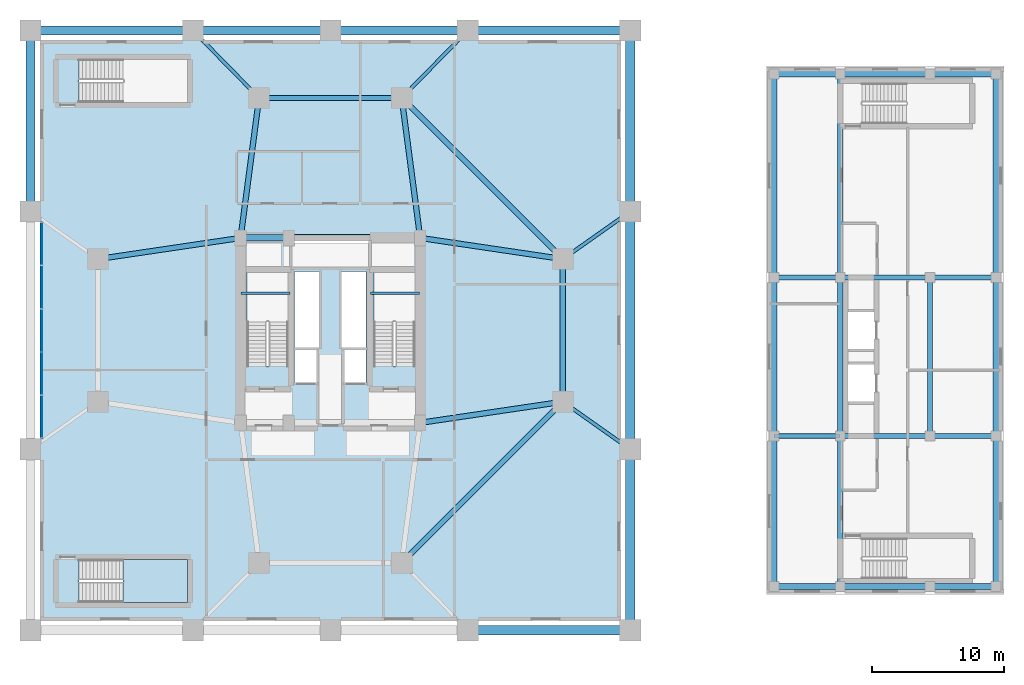
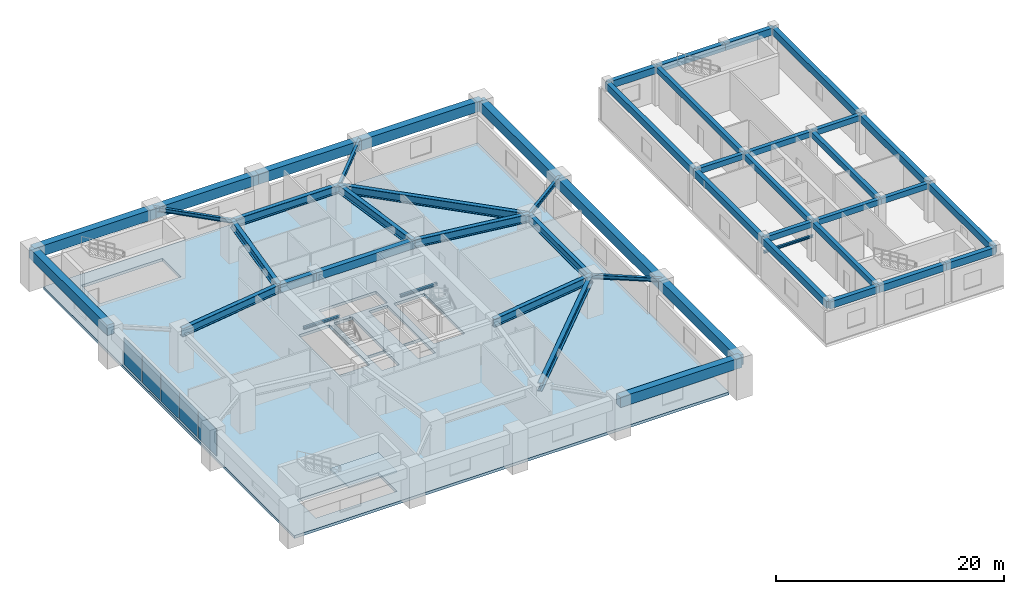
# One storey, part 7 of 16: 49 beams, 5 plates, 2 slabs, 2 elements without a shape of their own.
"""IFC4 building model written with IfcOpenShell, lengths in metres."""

from ifc_helpers import new_model, si_unit, direction, frame, origin, origin_2d, place, context, subcontext, project, spatial, polyline, rectangle, i_section, outline, extrude, source, transform, mapped, material, layer, layer_set, material_profile, profile_set, type_object, element, aggregate, save


model = new_model("IFC4")

# Units and contexts
model_context = context("Model", 3, precision=1e-05, world=origin(), true_north=direction((0.0, 1.0)))
body_context = subcontext(model_context, "Body", "Model", "MODEL_VIEW")
ifc_project = project(units=[si_unit("LENGTHUNIT", "METRE"), si_unit("AREAUNIT", "SQUARE_METRE"), si_unit("VOLUMEUNIT", "CUBIC_METRE"), si_unit("PLANEANGLEUNIT", "RADIAN"), si_unit("MASSUNIT", "GRAM", prefix="KILO")], contexts=[model_context])

# Site, building, storey
site_placement = place(None, origin())
site = spatial("IfcSite", under=ifc_project, at=site_placement, CompositionType="ELEMENT")
building_placement = place(site_placement, origin())
building = spatial("IfcBuilding", under=site, at=building_placement, Name="Veraguas Prism Commons", CompositionType="ELEMENT")
storey_placement = place(building_placement, frame((0.0, 0.0, 9.60009765625)))
storey = spatial("IfcBuildingStorey", under=building, at=storey_placement, Name="L02", CompositionType="ELEMENT", Elevation=9.60009765625)

# Beams
ifc_material_1 = material(Name="Concrete C50/60", Category="concrete")
ifc_material_profile_1 = material_profile(ifc_material_1, rectangle(XDim=0.39990234375, YDim=0.60009765625, at=origin_2d()), Name="RC400X600")
ifc_profile_set_1 = profile_set([ifc_material_profile_1], Name="Concrete C50/60")
beam_type_1 = type_object("IfcBeamType", Name="Clinic Secondary Beam RC 400x600", PredefinedType="BEAM", material=ifc_profile_set_1)
beam_1_placement = place(storey_placement, frame((57.60009765625, 16.0, 3.7998046875), z_axis=(1.0, 0.0, 0.0), x_axis=(0.0, 1.0, 0.0)))
element("IfcBeam", 1, at=beam_1_placement, inside=storey, type_object=beam_type_1, Name="Health Centre Beam L02-HCX04", PredefinedType="BEAM", context=body_context, shape_type="SweptSolid", body=[
    extrude(rectangle(XDim=0.39990234375, YDim=0.60009765625, at=origin_2d()), origin(), (0.0, 0.0, 1.0), 5.0),
])
beam_2_placement = place(storey_placement, frame((62.60009765625, 16.0, 3.7998046875), z_axis=(1.0, 0.0, 0.0), x_axis=(0.0, 1.0, 0.0)))
element("IfcBeam", 2, at=beam_2_placement, inside=storey, type_object=beam_type_1, Name="Health Centre Beam L02-HCX05", PredefinedType="BEAM", context=body_context, shape_type="SweptSolid", body=[
    extrude(rectangle(XDim=0.39990234375, YDim=0.60009765625, at=origin_2d()), origin(), (0.0, 0.0, 1.0), 6.7998046875),
])
for number, where, z_axis, x_axis, name in (
    (3, (69.39990234375, 16.0, 3.7998046875), (1.0, 0.0, 0.0), (0.0, 1.0, 0.0), "Health Centre Beam L02-HCX06"),
    (4, (57.60009765625, 28.0, 3.7998046875), (1.0, 0.0, 0.0), (0.0, 1.0, 0.0), "Health Centre Beam L02-HCX07"),
):
    element("IfcBeam", number, at=place(storey_placement, frame(where, z_axis=z_axis, x_axis=x_axis)), inside=storey, type_object=beam_type_1, Name=name, PredefinedType="BEAM", context=body_context, shape_type="SweptSolid", body=[
        extrude(rectangle(XDim=0.39990234375, YDim=0.60009765625, at=origin_2d()), origin(), (0.0, 0.0, 1.0), 5.0),
    ])
beam_3_placement = place(storey_placement, frame((62.60009765625, 28.0, 3.7998046875), z_axis=(1.0, 0.0, 0.0), x_axis=(0.0, 1.0, 0.0)))
element("IfcBeam", 5, at=beam_3_placement, inside=storey, type_object=beam_type_1, Name="Health Centre Beam L02-HCX08", PredefinedType="BEAM", context=body_context, shape_type="SweptSolid", body=[
    extrude(rectangle(XDim=0.39990234375, YDim=0.60009765625, at=origin_2d()), origin(), (0.0, 0.0, 1.0), 6.7998046875),
])
beam_4_placement = place(storey_placement, frame((69.39990234375, 28.0, 3.7998046875), z_axis=(1.0, 0.0, 0.0), x_axis=(0.0, 1.0, 0.0)))
element("IfcBeam", 6, at=beam_4_placement, inside=storey, type_object=beam_type_1, Name="Health Centre Beam L02-HCX09", PredefinedType="BEAM", context=body_context, shape_type="SweptSolid", body=[
    extrude(rectangle(XDim=0.39990234375, YDim=0.60009765625, at=origin_2d()), origin(), (0.0, 0.0, 1.0), 5.0),
])
beam_5_placement = place(storey_placement, frame((62.60009765625, 4.60009765625, 3.7998046875), z_axis=(0.0, 1.0, 0.0), x_axis=(-1.0, 0.0, 0.0)))
element("IfcBeam", 7, at=beam_5_placement, inside=storey, type_object=beam_type_1, Name="Health Centre Beam L02-HCY16", PredefinedType="BEAM", context=body_context, shape_type="SweptSolid", body=[
    extrude(rectangle(XDim=0.39990234375, YDim=0.60009765625, at=origin_2d()), origin(), (0.0, 0.0, 1.0), 11.39990234375),
])
beam_6_placement = place(storey_placement, frame((62.60009765625, 16.0, 3.7998046875), z_axis=(0.0, 1.0, 0.0), x_axis=(-1.0, 0.0, 0.0)))
element("IfcBeam", 8, at=beam_6_placement, inside=storey, type_object=beam_type_1, Name="Health Centre Beam L02-HCY17", PredefinedType="BEAM", context=body_context, shape_type="SweptSolid", body=[
    extrude(rectangle(XDim=0.39990234375, YDim=0.60009765625, at=origin_2d()), origin(), (0.0, 0.0, 1.0), 12.0),
])
beam_7_placement = place(storey_placement, frame((62.60009765625, 28.0, 3.7998046875), z_axis=(0.0, 1.0, 0.0), x_axis=(-1.0, 0.0, 0.0)))
element("IfcBeam", 9, at=beam_7_placement, inside=storey, type_object=beam_type_1, Name="Health Centre Beam L02-HCY18", PredefinedType="BEAM", context=body_context, shape_type="SweptSolid", body=[
    extrude(rectangle(XDim=0.39990234375, YDim=0.60009765625, at=origin_2d()), origin(), (0.0, 0.0, 1.0), 15.39990234375),
])
beam_8_placement = place(storey_placement, frame((69.39990234375, 16.0, 3.7998046875), z_axis=(0.0, 1.0, 0.0), x_axis=(-1.0, 0.0, 0.0)))
element("IfcBeam", 10, at=beam_8_placement, inside=storey, type_object=beam_type_1, Name="Health Centre Beam L02-HCY20", PredefinedType="BEAM", context=body_context, shape_type="SweptSolid", body=[
    extrude(rectangle(XDim=0.39990234375, YDim=0.60009765625, at=origin_2d()), origin(), (0.0, 0.0, 1.0), 12.0),
])
ifc_material_2 = material(Name="Steel ASTM A992 Grade 50", Category="steel")
ifc_material_profile_2 = material_profile(ifc_material_2, i_section(OverallWidth=0.403076171875, OverallDepth=0.867919921875, WebThickness=0.02099609375, FlangeThickness=0.03564453125, at=origin_2d()), Name="W840X359")
ifc_profile_set_2 = profile_set([ifc_material_profile_2], Name="Steel ASTM A992 Grade 50")
beam_type_2 = type_object("IfcBeamType", Name="Concourse Primary Girder W840x359", PredefinedType="BEAM", material=ifc_profile_set_2)
for number, where, z_axis, x_axis, name in (
    (11, (41.60009765625, 18.60009765625, 3.666015625), (-0.989202261707, -0.146556765224, 0.0), (0.146556765224, -0.989202261707, 0.0), "Concourse Radial Girder L02-TMR01"),
    (12, (41.60009765625, 29.39990234375, 3.666015625), (-0.989202261707, 0.146556765224, 0.0), (-0.146556765224, -0.989202261707, 0.0), "Concourse Radial Girder L02-TMR02"),
):
    element("IfcBeam", number, at=place(storey_placement, frame(where, z_axis=z_axis, x_axis=x_axis)), inside=storey, type_object=beam_type_2, Name=name, PredefinedType="BEAM", context=body_context, shape_type="SweptSolid", body=[
        extrude(i_section(OverallWidth=0.403076171875, OverallDepth=0.867919921875, WebThickness=0.02099609375, FlangeThickness=0.03564453125, at=origin_2d()), origin(), (0.0, 0.0, 1.0), 10.91796875),
    ])
for number, where, z_axis, x_axis, name in (
    (13, (29.39990234375, 41.60009765625, 3.666015625), (0.130950648891, -0.991388888154, 0.0), (0.991388888154, 0.130950648891, 0.0), "Concourse Radial Girder L02-TMR03"),
    (14, (18.60009765625, 41.60009765625, 3.666015625), (-0.130950648891, -0.991388888154, 0.0), (0.991388888154, -0.130950648891, 0.0), "Concourse Radial Girder L02-TMR04"),
):
    element("IfcBeam", number, at=place(storey_placement, frame(where, z_axis=z_axis, x_axis=x_axis)), inside=storey, type_object=beam_type_2, Name=name, PredefinedType="BEAM", context=body_context, shape_type="SweptSolid", body=[
        extrude(i_section(OverallWidth=0.403076171875, OverallDepth=0.867919921875, WebThickness=0.02099609375, FlangeThickness=0.03564453125, at=origin_2d()), origin(), (0.0, 0.0, 1.0), 10.692138671875),
    ])
beam_9_placement = place(storey_placement, frame((6.39990234375, 29.39990234375, 3.666015625), z_axis=(0.989202261707, 0.146556765224, 0.0), x_axis=(-0.146556765224, 0.989202261707, 0.0)))
element("IfcBeam", 15, at=beam_9_placement, inside=storey, type_object=beam_type_2, Name="Concourse Radial Girder L02-TMR05", PredefinedType="BEAM", context=body_context, shape_type="SweptSolid", body=[
    extrude(i_section(OverallWidth=0.403076171875, OverallDepth=0.867919921875, WebThickness=0.02099609375, FlangeThickness=0.03564453125, at=origin_2d()), origin(), (0.0, 0.0, 1.0), 10.91796875),
])
beam_10_placement = place(storey_placement, frame((41.60009765625, 18.60009765625, 3.666015625), z_axis=(0.0, 1.0, 0.0), x_axis=(-1.0, 0.0, 0.0)))
element("IfcBeam", 16, at=beam_10_placement, inside=storey, type_object=beam_type_2, Name="Concourse Ring Girder L02-TMH01", PredefinedType="BEAM", context=body_context, shape_type="SweptSolid", body=[
    extrude(i_section(OverallWidth=0.403076171875, OverallDepth=0.867919921875, WebThickness=0.02099609375, FlangeThickness=0.03564453125, at=origin_2d()), origin(), (0.0, 0.0, 1.0), 10.7998046875),
])
beam_11_placement = place(storey_placement, frame((41.60009765625, 29.39990234375, 3.666015625), z_axis=(-0.707106781187, 0.707106781187, 0.0), x_axis=(-0.707106781187, -0.707106781187, 0.0)))
element("IfcBeam", 17, at=beam_11_placement, inside=storey, type_object=beam_type_2, Name="Concourse Ring Girder L02-TMH02", PredefinedType="BEAM", context=body_context, shape_type="SweptSolid", body=[
    extrude(i_section(OverallWidth=0.403076171875, OverallDepth=0.867919921875, WebThickness=0.02099609375, FlangeThickness=0.03564453125, at=origin_2d()), origin(), (0.0, 0.0, 1.0), 17.253662109375),
])
beam_12_placement = place(storey_placement, frame((29.39990234375, 41.60009765625, 3.666015625), z_axis=(-1.0, 0.0, 0.0), x_axis=(0.0, -1.0, 0.0)))
element("IfcBeam", 18, at=beam_12_placement, inside=storey, type_object=beam_type_2, Name="Concourse Ring Girder L02-TMH03", PredefinedType="BEAM", context=body_context, shape_type="SweptSolid", body=[
    extrude(i_section(OverallWidth=0.403076171875, OverallDepth=0.867919921875, WebThickness=0.02099609375, FlangeThickness=0.03564453125, at=origin_2d()), origin(), (0.0, 0.0, 1.0), 10.7998046875),
])
beam_13_placement = place(storey_placement, frame((29.39990234375, 6.39990234375, 3.666015625), z_axis=(0.707106781187, 0.707106781187, 0.0), x_axis=(-0.707106781187, 0.707106781187, 0.0)))
element("IfcBeam", 19, at=beam_13_placement, inside=storey, type_object=beam_type_2, Name="Concourse Ring Girder L02-TMH08", PredefinedType="BEAM", context=body_context, shape_type="SweptSolid", body=[
    extrude(i_section(OverallWidth=0.403076171875, OverallDepth=0.867919921875, WebThickness=0.02099609375, FlangeThickness=0.03564453125, at=origin_2d()), origin(), (0.0, 0.0, 1.0), 17.253662109375),
])
ifc_material_profile_3 = material_profile(ifc_material_1, rectangle(XDim=0.5, YDim=0.85009765625, at=origin_2d()), Name="RC500X850")
ifc_profile_set_3 = profile_set([ifc_material_profile_3], Name="Concrete C50/60")
beam_type_3 = type_object("IfcBeamType", Name="Core Coupling Beam RC 500x850", PredefinedType="BEAM", material=ifc_profile_set_3)
beam_14_placement = place(storey_placement, frame((17.199951171875, 31.0, 3.6748046875), z_axis=(1.0, 0.0, 0.0), x_axis=(0.0, 1.0, 0.0)))
element("IfcBeam", 20, at=beam_14_placement, inside=storey, type_object=beam_type_3, Name="Core Coupling Beam L02-CRN1", PredefinedType="BEAM", context=body_context, shape_type="SweptSolid", body=[
    extrude(rectangle(XDim=0.5, YDim=0.85009765625, at=origin_2d()), origin(), (0.0, 0.0, 1.0), 3.650146484375),
])
beam_15_placement = place(storey_placement, frame((20.85009765625, 31.0, 3.6748046875), z_axis=(1.0, 0.0, 0.0), x_axis=(0.0, 1.0, 0.0)))
element("IfcBeam", 21, at=beam_15_placement, inside=storey, type_object=beam_type_3, Name="Core Coupling Beam L02-CRN2", PredefinedType="BEAM", context=body_context, shape_type="SweptSolid", body=[
    extrude(rectangle(XDim=0.5, YDim=0.85009765625, at=origin_2d()), origin(), (0.0, 0.0, 1.0), 9.949951171875),
])
ifc_material_profile_4 = material_profile(ifc_material_2, i_section(OverallWidth=0.260986328125, OverallDepth=0.419921875, WebThickness=0.01171875, FlangeThickness=0.019287109375, at=origin_2d()), Name="W410X114")
ifc_profile_set_4 = profile_set([ifc_material_profile_4], Name="Steel ASTM A992 Grade 50")
beam_type_4 = type_object("IfcBeamType", Name="Lower Floor Joist W410x114", PredefinedType="JOIST", material=ifc_profile_set_4)
for number, where, z_axis, x_axis, name in (
    (22, (41.60009765625, 18.60009765625, 3.889892578125), (0.816952688962, -0.576704693927, 0.0), (0.576704693927, 0.816952688962, 0.0), "Podium Tie Beam L02-TMT01"),
    (23, (41.60009765625, 29.39990234375, 3.889892578125), (0.816952688962, 0.576704693927, 0.0), (-0.576704693927, 0.816952688962, 0.0), "Podium Tie Beam L02-TMT02"),
):
    element("IfcBeam", number, at=place(storey_placement, frame(where, z_axis=z_axis, x_axis=x_axis)), inside=storey, type_object=beam_type_4, Name=name, PredefinedType="JOIST", context=body_context, shape_type="SweptSolid", body=[
        extrude(i_section(OverallWidth=0.260986328125, OverallDepth=0.419921875, WebThickness=0.01171875, FlangeThickness=0.019287109375, at=origin_2d()), origin(), (0.0, 0.0, 1.0), 6.242431640625),
    ])
for number, where, z_axis, x_axis, name in (
    (24, (29.39990234375, 41.60009765625, 3.889892578125), (0.700081663946, 0.71406278702, 0.0), (-0.71406278702, 0.700081663946, 0.0), "Podium Tie Beam L02-TMT03"),
    (25, (18.60009765625, 41.60009765625, 3.889892578125), (-0.700081663946, 0.71406278702, 0.0), (-0.71406278702, -0.700081663946, 0.0), "Podium Tie Beam L02-TMT04"),
):
    element("IfcBeam", number, at=place(storey_placement, frame(where, z_axis=z_axis, x_axis=x_axis)), inside=storey, type_object=beam_type_4, Name=name, PredefinedType="JOIST", context=body_context, shape_type="SweptSolid", body=[
        extrude(i_section(OverallWidth=0.260986328125, OverallDepth=0.419921875, WebThickness=0.01171875, FlangeThickness=0.019287109375, at=origin_2d()), origin(), (0.0, 0.0, 1.0), 7.14208984375),
    ])
ifc_material_profile_5 = material_profile(ifc_material_1, rectangle(XDim=0.449951171875, YDim=0.75, at=origin_2d()), Name="RC450X750")
ifc_profile_set_5 = profile_set([ifc_material_profile_5], Name="Concrete C50/60")
beam_type_5 = type_object("IfcBeamType", Name="Perimeter Spandrel Upper RC 450x750", PredefinedType="SPANDREL", material=ifc_profile_set_5)
beam_16_placement = place(storey_placement, frame((57.60009765625, 4.60009765625, 3.724853515625), z_axis=(1.0, 0.0, 0.0), x_axis=(0.0, 1.0, 0.0)))
element("IfcBeam", 26, at=beam_16_placement, inside=storey, type_object=beam_type_5, Name="Health Centre Beam L02-HCX01", PredefinedType="SPANDREL", context=body_context, shape_type="SweptSolid", body=[
    extrude(rectangle(XDim=0.449951171875, YDim=0.75, at=origin_2d()), origin(), (0.0, 0.0, 1.0), 5.0),
])
beam_17_placement = place(storey_placement, frame((62.60009765625, 4.60009765625, 3.724853515625), z_axis=(1.0, 0.0, 0.0), x_axis=(0.0, 1.0, 0.0)))
element("IfcBeam", 27, at=beam_17_placement, inside=storey, type_object=beam_type_5, Name="Health Centre Beam L02-HCX02", PredefinedType="SPANDREL", context=body_context, shape_type="SweptSolid", body=[
    extrude(rectangle(XDim=0.449951171875, YDim=0.75, at=origin_2d()), origin(), (0.0, 0.0, 1.0), 6.7998046875),
])
for number, where, z_axis, x_axis, name in (
    (28, (69.39990234375, 4.60009765625, 3.724853515625), (1.0, 0.0, 0.0), (0.0, 1.0, 0.0), "Health Centre Beam L02-HCX03"),
    (29, (57.60009765625, 43.39990234375, 3.724853515625), (1.0, 0.0, 0.0), (0.0, 1.0, 0.0), "Health Centre Beam L02-HCX10"),
):
    element("IfcBeam", number, at=place(storey_placement, frame(where, z_axis=z_axis, x_axis=x_axis)), inside=storey, type_object=beam_type_5, Name=name, PredefinedType="SPANDREL", context=body_context, shape_type="SweptSolid", body=[
        extrude(rectangle(XDim=0.449951171875, YDim=0.75, at=origin_2d()), origin(), (0.0, 0.0, 1.0), 5.0),
    ])
beam_18_placement = place(storey_placement, frame((62.60009765625, 43.39990234375, 3.724853515625), z_axis=(1.0, 0.0, 0.0), x_axis=(0.0, 1.0, 0.0)))
element("IfcBeam", 30, at=beam_18_placement, inside=storey, type_object=beam_type_5, Name="Health Centre Beam L02-HCX11", PredefinedType="SPANDREL", context=body_context, shape_type="SweptSolid", body=[
    extrude(rectangle(XDim=0.449951171875, YDim=0.75, at=origin_2d()), origin(), (0.0, 0.0, 1.0), 6.7998046875),
])
beam_19_placement = place(storey_placement, frame((69.39990234375, 43.39990234375, 3.724853515625), z_axis=(1.0, 0.0, 0.0), x_axis=(0.0, 1.0, 0.0)))
element("IfcBeam", 31, at=beam_19_placement, inside=storey, type_object=beam_type_5, Name="Health Centre Beam L02-HCX12", PredefinedType="SPANDREL", context=body_context, shape_type="SweptSolid", body=[
    extrude(rectangle(XDim=0.449951171875, YDim=0.75, at=origin_2d()), origin(), (0.0, 0.0, 1.0), 5.0),
])
beam_20_placement = place(storey_placement, frame((57.60009765625, 4.60009765625, 3.724853515625), z_axis=(0.0, 1.0, 0.0), x_axis=(-1.0, 0.0, 0.0)))
element("IfcBeam", 32, at=beam_20_placement, inside=storey, type_object=beam_type_5, Name="Health Centre Beam L02-HCY13", PredefinedType="SPANDREL", context=body_context, shape_type="SweptSolid", body=[
    extrude(rectangle(XDim=0.449951171875, YDim=0.75, at=origin_2d()), origin(), (0.0, 0.0, 1.0), 11.39990234375),
])
beam_21_placement = place(storey_placement, frame((57.60009765625, 16.0, 3.724853515625), z_axis=(0.0, 1.0, 0.0), x_axis=(-1.0, 0.0, 0.0)))
element("IfcBeam", 33, at=beam_21_placement, inside=storey, type_object=beam_type_5, Name="Health Centre Beam L02-HCY14", PredefinedType="SPANDREL", context=body_context, shape_type="SweptSolid", body=[
    extrude(rectangle(XDim=0.449951171875, YDim=0.75, at=origin_2d()), origin(), (0.0, 0.0, 1.0), 12.0),
])
beam_22_placement = place(storey_placement, frame((57.60009765625, 28.0, 3.724853515625), z_axis=(0.0, 1.0, 0.0), x_axis=(-1.0, 0.0, 0.0)))
element("IfcBeam", 34, at=beam_22_placement, inside=storey, type_object=beam_type_5, Name="Health Centre Beam L02-HCY15", PredefinedType="SPANDREL", context=body_context, shape_type="SweptSolid", body=[
    extrude(rectangle(XDim=0.449951171875, YDim=0.75, at=origin_2d()), origin(), (0.0, 0.0, 1.0), 15.39990234375),
])
beam_23_placement = place(storey_placement, frame((74.39990234375, 4.60009765625, 3.724853515625), z_axis=(0.0, 1.0, 0.0), x_axis=(-1.0, 0.0, 0.0)))
element("IfcBeam", 35, at=beam_23_placement, inside=storey, type_object=beam_type_5, Name="Health Centre Beam L02-HCY22", PredefinedType="SPANDREL", context=body_context, shape_type="SweptSolid", body=[
    extrude(rectangle(XDim=0.449951171875, YDim=0.75, at=origin_2d()), origin(), (0.0, 0.0, 1.0), 11.39990234375),
])
beam_24_placement = place(storey_placement, frame((74.39990234375, 16.0, 3.724853515625), z_axis=(0.0, 1.0, 0.0), x_axis=(-1.0, 0.0, 0.0)))
element("IfcBeam", 36, at=beam_24_placement, inside=storey, type_object=beam_type_5, Name="Health Centre Beam L02-HCY23", PredefinedType="SPANDREL", context=body_context, shape_type="SweptSolid", body=[
    extrude(rectangle(XDim=0.449951171875, YDim=0.75, at=origin_2d()), origin(), (0.0, 0.0, 1.0), 12.0),
])
beam_25_placement = place(storey_placement, frame((74.39990234375, 28.0, 3.724853515625), z_axis=(0.0, 1.0, 0.0), x_axis=(-1.0, 0.0, 0.0)))
element("IfcBeam", 37, at=beam_25_placement, inside=storey, type_object=beam_type_5, Name="Health Centre Beam L02-HCY24", PredefinedType="SPANDREL", context=body_context, shape_type="SweptSolid", body=[
    extrude(rectangle(XDim=0.449951171875, YDim=0.75, at=origin_2d()), origin(), (0.0, 0.0, 1.0), 15.39990234375),
])
ifc_material_profile_6 = material_profile(ifc_material_1, rectangle(XDim=0.699951171875, YDim=1.10009765625, at=origin_2d()), Name="RC700X1100")
ifc_profile_set_6 = profile_set([ifc_material_profile_6], Name="Concrete C50/60")
beam_type_6 = type_object("IfcBeamType", Name="Podium Primary Girder RC 700x1100", PredefinedType="BEAM", material=ifc_profile_set_6)
beam_26_placement = place(storey_placement, frame((34.39990234375, 1.300048828125, 3.5498046875), z_axis=(1.0, 0.0, 0.0), x_axis=(0.0, 1.0, 0.0)))
element("IfcBeam", 38, at=beam_26_placement, inside=storey, type_object=beam_type_6, Name="Podium Perimeter Girder L02-PDR04", PredefinedType="BEAM", context=body_context, shape_type="SweptSolid", body=[
    extrude(rectangle(XDim=0.699951171875, YDim=1.10009765625, at=origin_2d()), origin(), (0.0, 0.0, 1.0), 12.300048828125),
])
beam_27_placement = place(storey_placement, frame((46.699951171875, 1.300048828125, 3.5498046875), z_axis=(0.0, 1.0, 0.0), x_axis=(-1.0, 0.0, 0.0)))
element("IfcBeam", 39, at=beam_27_placement, inside=storey, type_object=beam_type_6, Name="Podium Perimeter Girder L02-PDR05", PredefinedType="BEAM", context=body_context, shape_type="SweptSolid", body=[
    extrude(rectangle(XDim=0.699951171875, YDim=1.10009765625, at=origin_2d()), origin(), (0.0, 0.0, 1.0), 13.699951171875),
])
beam_28_placement = place(storey_placement, frame((46.699951171875, 15.0, 3.5498046875), z_axis=(0.0, 1.0, 0.0), x_axis=(-1.0, 0.0, 0.0)))
element("IfcBeam", 40, at=beam_28_placement, inside=storey, type_object=beam_type_6, Name="Podium Perimeter Girder L02-PDR06", PredefinedType="BEAM", context=body_context, shape_type="SweptSolid", body=[
    extrude(rectangle(XDim=0.699951171875, YDim=1.10009765625, at=origin_2d()), origin(), (0.0, 0.0, 1.0), 18.0),
])
beam_29_placement = place(storey_placement, frame((46.699951171875, 33.0, 3.5498046875), z_axis=(0.0, 1.0, 0.0), x_axis=(-1.0, 0.0, 0.0)))
element("IfcBeam", 41, at=beam_29_placement, inside=storey, type_object=beam_type_6, Name="Podium Perimeter Girder L02-PDR07", PredefinedType="BEAM", context=body_context, shape_type="SweptSolid", body=[
    extrude(rectangle(XDim=0.699951171875, YDim=1.10009765625, at=origin_2d()), origin(), (0.0, 0.0, 1.0), 13.699951171875),
])
beam_30_placement = place(storey_placement, frame((46.699951171875, 46.699951171875, 3.5498046875), z_axis=(-1.0, 0.0, 0.0), x_axis=(0.0, -1.0, 0.0)))
element("IfcBeam", 42, at=beam_30_placement, inside=storey, type_object=beam_type_6, Name="Podium Perimeter Girder L02-PDR08", PredefinedType="BEAM", context=body_context, shape_type="SweptSolid", body=[
    extrude(rectangle(XDim=0.699951171875, YDim=1.10009765625, at=origin_2d()), origin(), (0.0, 0.0, 1.0), 12.300048828125),
])
for number, where, z_axis, x_axis, name in (
    (43, (34.39990234375, 46.699951171875, 3.5498046875), (-1.0, 0.0, 0.0), (0.0, -1.0, 0.0), "Podium Perimeter Girder L02-PDR09"),
    (44, (24.0, 46.699951171875, 3.5498046875), (-1.0, 0.0, 0.0), (0.0, -1.0, 0.0), "Podium Perimeter Girder L02-PDR10"),
):
    element("IfcBeam", number, at=place(storey_placement, frame(where, z_axis=z_axis, x_axis=x_axis)), inside=storey, type_object=beam_type_6, Name=name, PredefinedType="BEAM", context=body_context, shape_type="SweptSolid", body=[
        extrude(rectangle(XDim=0.699951171875, YDim=1.10009765625, at=origin_2d()), origin(), (0.0, 0.0, 1.0), 10.39990234375),
    ])
beam_31_placement = place(storey_placement, frame((13.60009765625, 46.699951171875, 3.5498046875), z_axis=(-1.0, 0.0, 0.0), x_axis=(0.0, -1.0, 0.0)))
element("IfcBeam", 45, at=beam_31_placement, inside=storey, type_object=beam_type_6, Name="Podium Perimeter Girder L02-PDR11", PredefinedType="BEAM", context=body_context, shape_type="SweptSolid", body=[
    extrude(rectangle(XDim=0.699951171875, YDim=1.10009765625, at=origin_2d()), origin(), (0.0, 0.0, 1.0), 12.300048828125),
])
beam_32_placement = place(storey_placement, frame((1.300048828125, 46.699951171875, 3.5498046875), z_axis=(0.0, -1.0, 0.0), x_axis=(1.0, 0.0, 0.0)))
element("IfcBeam", 46, at=beam_32_placement, inside=storey, type_object=beam_type_6, Name="Podium Perimeter Girder L02-PDR12", PredefinedType="BEAM", context=body_context, shape_type="SweptSolid", body=[
    extrude(rectangle(XDim=0.699951171875, YDim=1.10009765625, at=origin_2d()), origin(), (0.0, 0.0, 1.0), 13.699951171875),
])
ifc_material_profile_7 = material_profile(ifc_material_2, i_section(OverallWidth=0.202880859375, OverallDepth=0.251953125, WebThickness=0.008056640625, FlangeThickness=0.013427734375, at=origin_2d()), Name="W250X58")
ifc_profile_set_7 = profile_set([ifc_material_profile_7], Name="Steel ASTM A992 Grade 50")
beam_type_7 = type_object("IfcBeamType", Name="Structural Opening Lintel W250x58", PredefinedType="LINTEL", material=ifc_profile_set_7)
for number, where, z_axis, x_axis, name in (
    (47, (17.25, 26.800048828125, 1.8740234375), (1.0, 0.0, 0.0), (0.0, 1.0, 0.0), "Stair ST-01 Half-Landing Support Beam L02-1"),
    (48, (27.050048828125, 26.800048828125, 1.8740234375), (1.0, 0.0, 0.0), (0.0, 1.0, 0.0), "Stair ST-02 Half-Landing Support Beam L02-1"),
):
    element("IfcBeam", number, at=place(storey_placement, frame(where, z_axis=z_axis, x_axis=x_axis)), inside=storey, type_object=beam_type_7, Name=name, PredefinedType="LINTEL", context=body_context, shape_type="SweptSolid", body=[
        extrude(i_section(OverallWidth=0.202880859375, OverallDepth=0.251953125, WebThickness=0.008056640625, FlangeThickness=0.013427734375, at=origin_2d()), origin(), (0.0, 0.0, 1.0), 3.699951171875),
    ])
beam_33_placement = place(storey_placement, frame((57.60009765625, 16.0, 2.423828125), z_axis=(1.0, 0.0, 0.0), x_axis=(0.0, 1.0, 0.0)))
element("IfcBeam", 49, at=beam_33_placement, inside=storey, type_object=beam_type_7, Name="Clinic Opening Lintel Beam L02-LN01", PredefinedType="LINTEL", context=body_context, shape_type="SweptSolid", body=[
    extrude(i_section(OverallWidth=0.202880859375, OverallDepth=0.251953125, WebThickness=0.008056640625, FlangeThickness=0.013427734375, at=origin_2d()), origin(), (0.0, 0.0, 1.0), 5.0),
])

# Slab
ifc_material_3 = material(Name="Concrete C45/55", Category="concrete")
ifc_layer_1 = layer(ifc_material_3, 0.300048828125, Name="Podium Concourse and Clinic Slab RC 300", Category="concrete")
ifc_layer_set_1 = layer_set([ifc_layer_1], Name="Concrete C45/55")
slab_type_1 = type_object("IfcSlabType", Name="Podium Concourse and Clinic Slab RC 300", PredefinedType="FLOOR", material=ifc_layer_set_1)
slab_1_placement = place(storey_placement, frame((0.0, 0.0, -0.300048828125)))
element("IfcSlab", 50, at=slab_1_placement, inside=storey, type_object=slab_type_1, Name="Podium and Station Slab L02", PredefinedType="FLOOR", context=body_context, shape_type="SweptSolid", body=[
    extrude(outline(polyline([(2.0, 2.0), (46.0, 2.0), (46.0, 46.0), (2.0, 46.0), (2.0, 2.0)]), holes=[polyline([(20.800048828125, 21.31005859375), (20.800048828125, 28.39990234375), (17.68994140625, 28.39990234375), (17.68994140625, 21.31005859375), (20.800048828125, 21.31005859375)]), polyline([(30.39990234375, 21.31005859375), (30.39990234375, 28.39990234375), (27.2900390625, 28.39990234375), (27.2900390625, 21.31005859375), (30.39990234375, 21.31005859375)]), polyline([(4.97998046875, 3.39990234375), (13.199951171875, 3.39990234375), (13.199951171875, 6.64990234375), (4.97998046875, 6.64990234375), (4.97998046875, 3.39990234375)]), polyline([(4.97998046875, 41.260009765625), (13.199951171875, 41.260009765625), (13.199951171875, 44.510009765625), (4.97998046875, 44.510009765625), (4.97998046875, 41.260009765625)]), polyline([(21.300048828125, 22.64990234375), (23.14990234375, 22.64990234375), (23.14990234375, 28.449951171875), (21.300048828125, 28.449951171875), (21.300048828125, 22.64990234375)]), polyline([(24.85009765625, 22.64990234375), (26.699951171875, 22.64990234375), (26.699951171875, 28.449951171875), (24.85009765625, 28.449951171875), (24.85009765625, 22.64990234375)]), polyline([(21.10009765625, 28.800048828125), (26.89990234375, 28.800048828125), (26.89990234375, 30.800048828125), (21.10009765625, 30.800048828125), (21.10009765625, 28.800048828125)]), polyline([(21.300048828125, 20.050048828125), (23.050048828125, 20.050048828125), (23.050048828125, 22.550048828125), (21.300048828125, 22.550048828125), (21.300048828125, 20.050048828125)]), polyline([(24.949951171875, 20.050048828125), (26.699951171875, 20.050048828125), (26.699951171875, 22.550048828125), (24.949951171875, 22.550048828125), (24.949951171875, 20.050048828125)])]), origin(), (0.0, 0.0, 1.0), 0.300048828125),
])

# Stair, slab
ifc_material_4 = material(Name="Precast concrete C45/55", Category="concrete")
stair_type = type_object("IfcStairType", Name="Dogleg Core Stair 1550W 26R 11", PredefinedType="HALF_TURN_STAIR", material=ifc_material_4)
stair_placement = place(storey_placement, origin())
stair = element("IfcStair", 51, at=stair_placement, inside=storey, type_object=stair_type, Name="Protected Exit Stair ST-M1 L02", PredefinedType="HALF_TURN_STAIR")
ifc_layer_2 = layer(ifc_material_4, 0.199951171875, Name="Precast Stair and Ramp Landing Slab 200", Category="concrete")
ifc_layer_set_2 = layer_set([ifc_layer_2], Name="Precast concrete C45/55")
slab_type_2 = type_object("IfcSlabType", Name="Precast Stair and Ramp Landing Slab 200", PredefinedType="LANDING", material=ifc_layer_set_2)
slab_2_placement = place(storey_placement, frame((0.0, 0.0, 2.0)))
slab_2 = element("IfcSlab", 52, at=slab_2_placement, type_object=slab_type_2, Name="ST-11 Landing 1", PredefinedType="LANDING", context=body_context, shape_type="SweptSolid", body=[
    extrude(outline(polyline([(8.31005859375, 3.39990234375), (13.199951171875, 3.39990234375), (13.199951171875, 6.64990234375), (8.31005859375, 6.64990234375), (8.31005859375, 3.39990234375)])), origin(), (0.0, 0.0, 1.0), 0.199951171875),
])
aggregate(stair, [slab_2])

# Curtain wall, plates
ifc_material_5 = material(Name="Anodised aluminium EN AW-6063 T6", Category="aluminium")
ifc_layer_3 = layer(ifc_material_5, 0.199951171875, Name="Metro Concourse Structural Glazing", Category="aluminium")
ifc_layer_set_3 = layer_set([ifc_layer_3], Name="Anodised aluminium EN AW-6063 T6")
curtain_wall_type = type_object("IfcCurtainWallType", Name="Metro Concourse Structural Glazing", PredefinedType="NOTDEFINED", material=ifc_layer_set_3)
curtain_wall_placement = place(storey_placement, origin())
curtain_wall = element("IfcCurtainWall", 53, at=curtain_wall_placement, inside=storey, type_object=curtain_wall_type, Name="Via Espana Metro Concourse Curtain Wall L02-W02", PredefinedType="NOTDEFINED")
ifc_material_6 = material(Name="Laminated low-e glass", Category="glass")
ifc_layer_4 = layer(ifc_material_6, 0.031982421875, Name="Concourse Acoustic Triple Glazed Panel 32", Category="glass")
ifc_layer_set_4 = layer_set([ifc_layer_4], Name="Laminated low-e glass")
plate_type = type_object("IfcPlateType", Name="Concourse Acoustic Triple Glazed Panel 32", PredefinedType="CURTAIN_PANEL", material=ifc_layer_set_4)
shared_shape_1 = source(origin(), body_context, "Body", "SweptSolid", [
    extrude(rectangle(XDim=3.1826171875, YDim=0.031982421875, at=origin_2d()), origin(), (0.0, 0.0, 1.0), 2.8798828125),
])
plate_1_placement = place(storey_placement, frame((2.14990234375, 30.543701171875, 0.06005859375), z_axis=(0.0, 0.0, 1.0), x_axis=(0.0, -1.0, 0.0)))
plate_1 = element("IfcPlate", 54, at=plate_1_placement, type_object=plate_type, Name="CW-STN Panel 1.1", PredefinedType="CURTAIN_PANEL", context=body_context, shape_type="MappedRepresentation", body=[
    mapped(shared_shape_1, transform((0.0, 0.0, 0.0), scale=1.0)),
])
plate_2_placement = place(storey_placement, frame((2.14990234375, 17.456298828125, 0.06005859375), z_axis=(0.0, 0.0, 1.0), x_axis=(0.0, -1.0, 0.0)))
plate_2 = element("IfcPlate", 55, at=plate_2_placement, type_object=plate_type, Name="CW-STN Panel 5.1", PredefinedType="CURTAIN_PANEL", context=body_context, shape_type="MappedRepresentation", body=[
    mapped(shared_shape_1, transform((0.0, 0.0, 0.0), scale=1.0)),
])
shared_shape_2 = source(origin(), body_context, "Body", "SweptSolid", [
    extrude(rectangle(XDim=3.215087890625, YDim=0.031982421875, at=origin_2d()), origin(), (0.0, 0.0, 1.0), 2.8798828125),
])
plate_3_placement = place(storey_placement, frame((2.14990234375, 27.280029296875, 0.06005859375), z_axis=(0.0, 0.0, 1.0), x_axis=(0.0, -1.0, 0.0)))
plate_3 = element("IfcPlate", 56, at=plate_3_placement, type_object=plate_type, Name="CW-STN Panel 2.1", PredefinedType="CURTAIN_PANEL", context=body_context, shape_type="MappedRepresentation", body=[
    mapped(shared_shape_2, transform((0.0, 0.0, 0.0), scale=1.0)),
])
plate_4_placement = place(storey_placement, frame((2.14990234375, 24.0, 0.06005859375), z_axis=(0.0, 0.0, 1.0), x_axis=(0.0, -1.0, 0.0)))
plate_4 = element("IfcPlate", 57, at=plate_4_placement, type_object=plate_type, Name="CW-STN Panel 3.1", PredefinedType="CURTAIN_PANEL", context=body_context, shape_type="MappedRepresentation", body=[
    mapped(shared_shape_2, transform((0.0, 0.0, 0.0), scale=1.0)),
])
plate_5_placement = place(storey_placement, frame((2.14990234375, 20.719970703125, 0.06005859375), z_axis=(0.0, 0.0, 1.0), x_axis=(0.0, -1.0, 0.0)))
plate_5 = element("IfcPlate", 58, at=plate_5_placement, type_object=plate_type, Name="CW-STN Panel 4.1", PredefinedType="CURTAIN_PANEL", context=body_context, shape_type="MappedRepresentation", body=[
    mapped(shared_shape_2, transform((0.0, 0.0, 0.0), scale=1.0)),
])
aggregate(curtain_wall, [plate_1, plate_3, plate_4, plate_5, plate_2])

save(model, "model.ifc")
